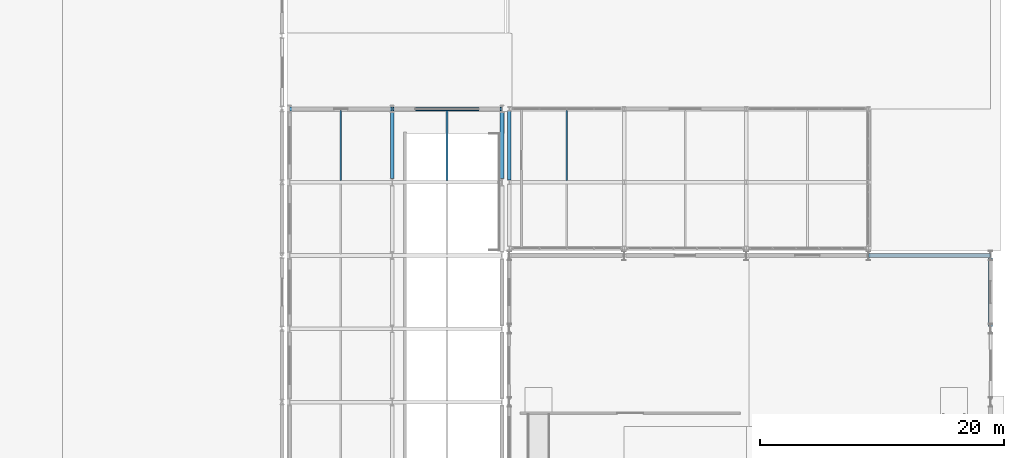
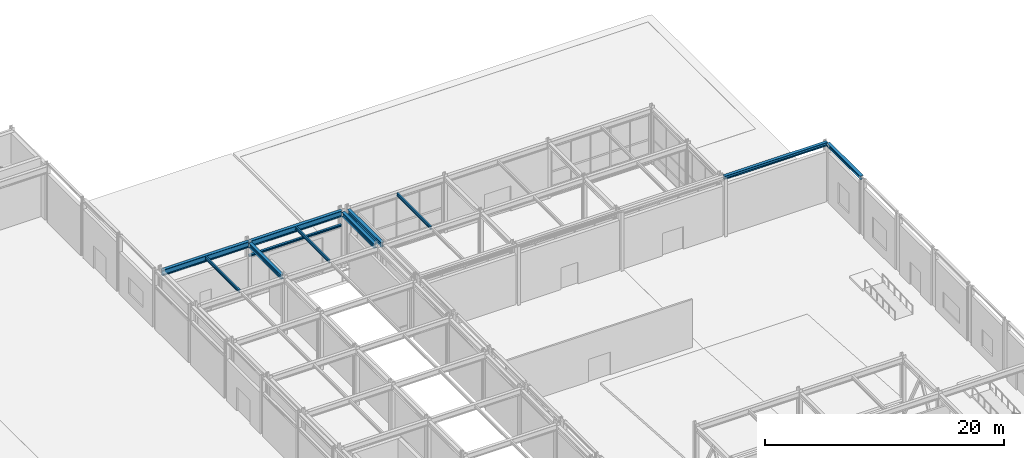
# One storey, part 96 of 146: 11 beams.
"""IFC4 building model written with IfcOpenShell, lengths in metres."""

from ifc_helpers import new_model, si_unit, direction, frame, origin, origin_2d, place, context, subcontext, project, spatial, i_section, extrude, material, material_profile, profile_set, type_object, element, save


model = new_model("IFC4")

# Units and contexts
model_context = context("Model", 3, precision=1e-05, world=origin(), true_north=direction((0.0, 1.0)))
body_context = subcontext(model_context, "Body", "Model", "MODEL_VIEW")
ifc_project = project(units=[si_unit("LENGTHUNIT", "METRE"), si_unit("AREAUNIT", "SQUARE_METRE"), si_unit("VOLUMEUNIT", "CUBIC_METRE"), si_unit("PLANEANGLEUNIT", "RADIAN"), si_unit("MASSUNIT", "GRAM", prefix="KILO")], contexts=[model_context])

# Site, building, storey
site_placement = place(None, origin())
site = spatial("IfcSite", under=ifc_project, at=site_placement, CompositionType="ELEMENT")
building_placement = place(site_placement, origin())
building = spatial("IfcBuilding", under=site, at=building_placement, Name="Kaldris Quays Convention Centre", CompositionType="ELEMENT")
storey_placement = place(building_placement, origin())
storey = spatial("IfcBuildingStorey", under=building, at=storey_placement, Name="L00", CompositionType="ELEMENT", Elevation=0.0)

# Beams
ifc_material = material(Name="Steel S355J2", Category="steel")
ifc_material_profile_1 = material_profile(ifc_material, i_section(OverallWidth=0.300048828125, OverallDepth=0.60009765625, WebThickness=0.015380859375, FlangeThickness=0.030029296875, FilletRadius=0.027099609375, at=origin_2d()), Name="HEB 600")
ifc_profile_set_1 = profile_set([ifc_material_profile_1], Name="Steel S355J2")
beam_type_1 = type_object("IfcBeamType", Name="STRUCTURAL BEAM BM05", PredefinedType="BEAM", material=ifc_profile_set_1)
beam_1_placement = place(storey_placement, frame((146.601806640625, 116.0, 5.423095703125), z_axis=(1.0, 0.0, 0.0), x_axis=(0.0, 1.0, 0.0)))
element("IfcBeam", 1, at=beam_1_placement, inside=storey, type_object=beam_type_1, Name="L00 Girder BM05 51", PredefinedType="BEAM", context=body_context, shape_type="SweptSolid", body=[
    extrude(i_section(OverallWidth=0.300048828125, OverallDepth=0.60009765625, WebThickness=0.015380859375, FlangeThickness=0.030029296875, FilletRadius=0.027099609375, at=origin_2d()), origin(), (0.0, 0.0, 1.0), 8.396484375),
])
beam_2_placement = place(storey_placement, frame((155.001708984375, 116.0, 5.423095703125), z_axis=(1.0, 0.0, 0.0), x_axis=(0.0, 1.0, 0.0)))
element("IfcBeam", 2, at=beam_2_placement, inside=storey, type_object=beam_type_1, Name="L00 Girder BM05 52", PredefinedType="BEAM", context=body_context, shape_type="SweptSolid", body=[
    extrude(i_section(OverallWidth=0.300048828125, OverallDepth=0.60009765625, WebThickness=0.015380859375, FlangeThickness=0.030029296875, FilletRadius=0.027099609375, at=origin_2d()), origin(), (0.0, 0.0, 1.0), 8.99658203125),
])
ifc_material_profile_2 = material_profile(ifc_material, i_section(OverallWidth=0.300048828125, OverallDepth=0.449951171875, WebThickness=0.013916015625, FlangeThickness=0.02587890625, FilletRadius=0.027099609375, at=origin_2d()), Name="HEB 450")
ifc_profile_set_2 = profile_set([ifc_material_profile_2], Name="Steel S355J2")
beam_type_2 = type_object("IfcBeamType", Name="STRUCTURAL BEAM BM07", PredefinedType="BEAM", material=ifc_profile_set_2)
for number, where, z_axis, x_axis, name in (
    (3, (155.0, 110.2939453125, 5.498046875), (0.0, 1.0, 0.0), (-1.0, 0.0, 0.0), "L00 Girder BM07 89"),
    (4, (164.0, 110.2939453125, 5.498046875), (0.0, 1.0, 0.0), (-1.0, 0.0, 0.0), "L00 Girder BM07 101"),
):
    element("IfcBeam", number, at=place(storey_placement, frame(where, z_axis=z_axis, x_axis=x_axis)), inside=storey, type_object=beam_type_2, Name=name, PredefinedType="BEAM", context=body_context, shape_type="SweptSolid", body=[
        extrude(i_section(OverallWidth=0.300048828125, OverallDepth=0.449951171875, WebThickness=0.013916015625, FlangeThickness=0.02587890625, FilletRadius=0.027099609375, at=origin_2d()), origin(), (0.0, 0.0, 1.0), 5.412109375),
    ])
beam_3_placement = place(storey_placement, frame((164.60009765625, 110.174072265625, 5.498046875), z_axis=(0.0, 1.0, 0.0), x_axis=(-1.0, 0.0, 0.0)))
element("IfcBeam", 5, at=beam_3_placement, inside=storey, type_object=beam_type_2, Name="L00 Girder BM07 103", PredefinedType="BEAM", context=body_context, shape_type="SweptSolid", body=[
    extrude(i_section(OverallWidth=0.300048828125, OverallDepth=0.449951171875, WebThickness=0.013916015625, FlangeThickness=0.02587890625, FilletRadius=0.027099609375, at=origin_2d()), origin(), (0.0, 0.0, 1.0), 5.65185546875),
])
ifc_material_profile_3 = material_profile(ifc_material, i_section(OverallWidth=0.14990234375, OverallDepth=0.300048828125, WebThickness=0.007080078125, FlangeThickness=0.0107421875, FilletRadius=0.014892578125, at=origin_2d()), Name="IPE 300")
ifc_profile_set_3 = profile_set([ifc_material_profile_3], Name="Steel S355J2")
beam_type_3 = type_object("IfcBeamType", Name="STRUCTURAL BEAM JT04", PredefinedType="JOIST", material=ifc_profile_set_3)
for number, where, z_axis, x_axis, name in (
    (6, (150.800048828125, 110.14404296875, 5.572998046875), (0.0, 1.0, 0.0), (-1.0, 0.0, 0.0), "L00 Secondary Joist JT04 31"),
    (7, (159.5, 110.14404296875, 5.572998046875), (0.0, 1.0, 0.0), (-1.0, 0.0, 0.0), "L00 Secondary Joist JT04 32"),
    (8, (169.300048828125, 110.14404296875, 5.572998046875), (0.0, 1.0, 0.0), (-1.0, 0.0, 0.0), "L00 Secondary Joist JT04 33"),
):
    element("IfcBeam", number, at=place(storey_placement, frame(where, z_axis=z_axis, x_axis=x_axis)), inside=storey, type_object=beam_type_3, Name=name, PredefinedType="JOIST", context=body_context, shape_type="SweptSolid", body=[
        extrude(i_section(OverallWidth=0.14990234375, OverallDepth=0.300048828125, WebThickness=0.007080078125, FlangeThickness=0.0107421875, FilletRadius=0.014892578125, at=origin_2d()), origin(), (0.0, 0.0, 1.0), 5.7119140625),
    ])
ifc_material_profile_4 = material_profile(ifc_material, i_section(OverallWidth=0.199951171875, OverallDepth=0.18994140625, WebThickness=0.006591796875, FlangeThickness=0.010009765625, FilletRadius=0.01806640625, at=origin_2d()), Name="HEA 200")
ifc_profile_set_4 = profile_set([ifc_material_profile_4], Name="Steel S355J2")
beam_type_4 = type_object("IfcBeamType", Name="STRUCTURAL BEAM LN03", PredefinedType="LINTEL", material=ifc_profile_set_4)
beam_4_placement = place(storey_placement, frame((155.02001953125, 116.0, 4.199951171875), z_axis=(1.0, 0.0, 0.0), x_axis=(0.0, 1.0, 0.0)))
element("IfcBeam", 9, at=beam_4_placement, inside=storey, type_object=beam_type_4, Name="L00 Heavy Portal Lintel Beam LN03 6", PredefinedType="LINTEL", context=body_context, shape_type="SweptSolid", body=[
    extrude(i_section(OverallWidth=0.199951171875, OverallDepth=0.18994140625, WebThickness=0.006591796875, FlangeThickness=0.010009765625, FilletRadius=0.01806640625, at=origin_2d()), origin(), (0.0, 0.0, 1.0), 8.9599609375),
])
ifc_material_profile_5 = material_profile(ifc_material, i_section(OverallWidth=0.300048828125, OverallDepth=0.35009765625, WebThickness=0.010009765625, FlangeThickness=0.017578125, FilletRadius=0.027099609375, at=origin_2d()), Name="HEA 360")
ifc_profile_set_5 = profile_set([ifc_material_profile_5], Name="Steel S355J2")
beam_type_5 = type_object("IfcBeamType", Name="STRUCTURAL BEAM SP02", PredefinedType="SPANDREL", material=ifc_profile_set_5)
beam_5_placement = place(storey_placement, frame((194.006103515625, 104.0, 5.824951171875), z_axis=(1.0, 0.0, 0.0), x_axis=(0.0, 1.0, 0.0)))
element("IfcBeam", 10, at=beam_5_placement, inside=storey, type_object=beam_type_5, Name="L00 Perimeter Wall-Bearing Spandrel SP02 26", PredefinedType="SPANDREL", context=body_context, shape_type="SweptSolid", body=[
    extrude(i_section(OverallWidth=0.300048828125, OverallDepth=0.35009765625, WebThickness=0.010009765625, FlangeThickness=0.017578125, FilletRadius=0.027099609375, at=origin_2d()), origin(), (0.0, 0.0, 1.0), 9.98779296875),
])
beam_6_placement = place(storey_placement, frame((204.0, 98.195068359375, 5.824951171875), z_axis=(0.0, 1.0, 0.0), x_axis=(-1.0, 0.0, 0.0)))
element("IfcBeam", 11, at=beam_6_placement, inside=storey, type_object=beam_type_5, Name="L00 Perimeter Wall-Bearing Spandrel SP02 38", PredefinedType="SPANDREL", context=body_context, shape_type="SweptSolid", body=[
    extrude(i_section(OverallWidth=0.300048828125, OverallDepth=0.35009765625, WebThickness=0.010009765625, FlangeThickness=0.017578125, FilletRadius=0.027099609375, at=origin_2d()), origin(), (0.0, 0.0, 1.0), 5.60986328125),
])

save(model, "model.ifc")
